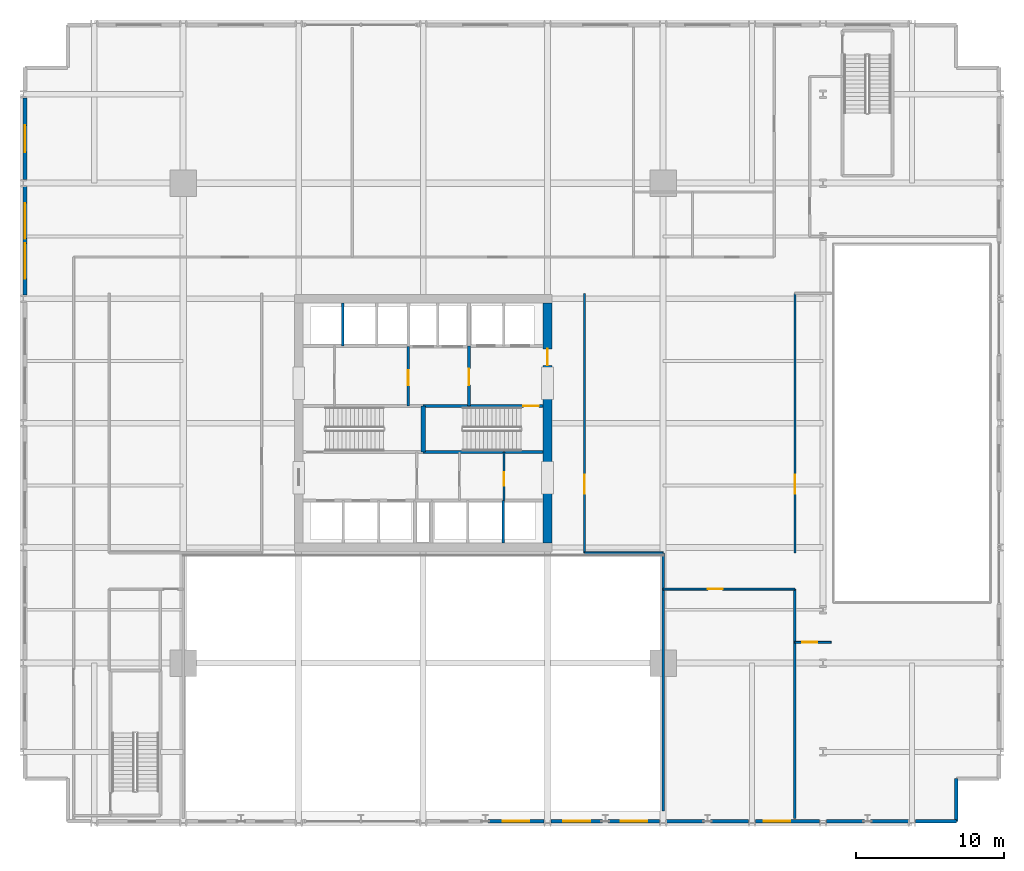
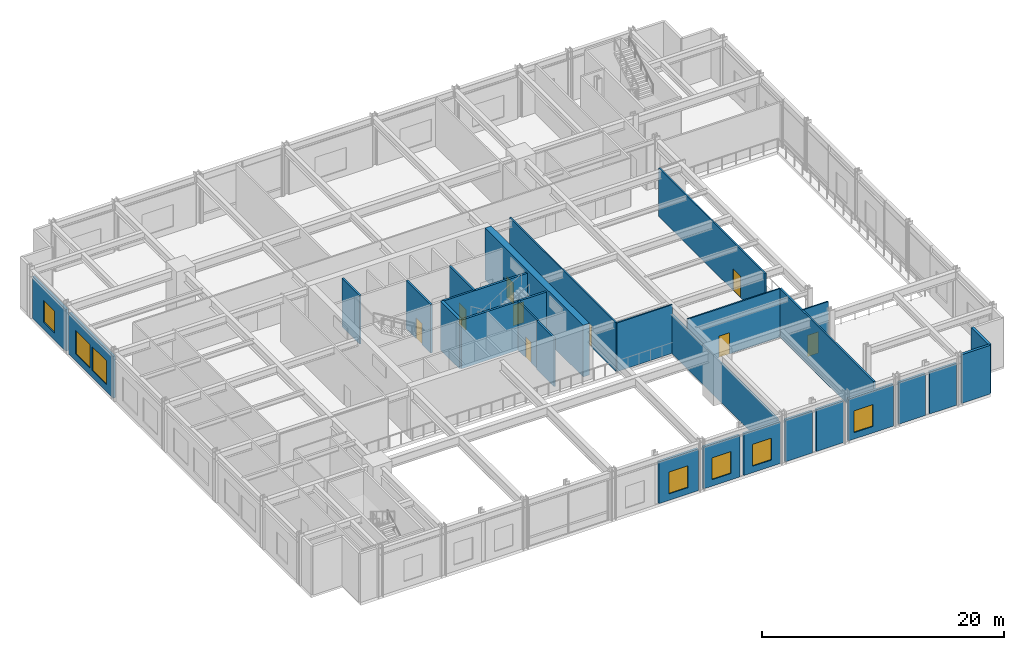
# One storey, part 12 of 19: 28 walls, 9 doors, 7 windows, 16 openings.
"""IFC4 building model written with IfcOpenShell, lengths in metres."""

import ifcopenshell
import ifcopenshell.guid

model = None  # the IFC model being written
_history = None  # IfcOwnerHistory: only IFC2X3 demands one
_inside = {}  # id of a spatial element -> (the spatial element, [elements in it])
_under = {}  # id of a project, library or spatial element -> (it, [spatial elements below it])
_declared = {}  # id of a project -> (the project, [libraries it declares])
_typed = {}  # id of a type object -> (the type object, [elements of that type])
_made_of = {}  # id of a material, layer set ... -> (it, [elements and type objects made of it])


def new_model(schema):
    """Start an empty IFC model of exactly this schema.

    Asked for "IFC4X3", IfcOpenShell would pick the latest addendum, in which some entities
    have other attributes; the version numbers below select the first issue.
    IFC2X3 requires an IfcOwnerHistory on every rooted entity: one is made here for all.
    """
    global model, _history
    if schema == "IFC4X3":
        model = ifcopenshell.file(schema_version=(4, 3, 0, 0))
    else:
        model = ifcopenshell.file(schema=schema)
    _inside.clear()
    _under.clear()
    _declared.clear()
    _typed.clear()
    _made_of.clear()
    _history = None
    if model.schema == "IFC2X3":
        org = make("IfcOrganization", Name="unknown")
        user = make(
            "IfcPersonAndOrganization",
            ThePerson=make("IfcPerson", FamilyName="unknown"),
            TheOrganization=org,
        )
        app = make(
            "IfcApplication",
            ApplicationDeveloper=org,
            Version="unknown",
            ApplicationFullName="unknown",
            ApplicationIdentifier="unknown",
        )
        _history = make(
            "IfcOwnerHistory",
            OwningUser=user,
            OwningApplication=app,
            ChangeAction="ADDED",
            CreationDate=0,
        )
    return model


def make(cls, **values):
    """One entity of the class cls with the attributes given. An attribute that is None is left unset."""
    return model.create_entity(
        cls, **{name: value for name, value in values.items() if value is not None}
    )


def rooted(cls, **values):
    """An entity with a GlobalId (a new one), such as an element, a storey or a relation."""
    return make(cls, GlobalId=ifcopenshell.guid.new(), OwnerHistory=_history, **values)


def si_unit(unit_type, name, prefix=None):
    """IfcSIUnit, for example si_unit("LENGTHUNIT", "METRE", prefix="MILLI")."""
    return make("IfcSIUnit", UnitType=unit_type, Prefix=prefix, Name=name)


def assignment(units):
    """IfcUnitAssignment: the units of a project."""
    return None if units is None else make("IfcUnitAssignment", Units=units)


def point(xyz):
    """IfcCartesianPoint."""
    return None if xyz is None else make("IfcCartesianPoint", Coordinates=xyz)


def direction(xyz):
    """IfcDirection."""
    return None if xyz is None else make("IfcDirection", DirectionRatios=xyz)


def frame(location, z_axis=None, x_axis=None):
    """IfcAxis2Placement3D, a coordinate frame: its origin and axes. An axis left out is left unset."""
    return make(
        "IfcAxis2Placement3D",
        Location=point(location),
        Axis=direction(z_axis),
        RefDirection=direction(x_axis),
    )


def frame_2d(location, x_axis=None):
    """IfcAxis2Placement2D, a coordinate frame in the plane: its origin and x axis."""
    return make(
        "IfcAxis2Placement2D", Location=point(location), RefDirection=direction(x_axis)
    )


def origin():
    """The frame at (0, 0, 0) with its axes left unset."""
    return frame((0.0, 0.0, 0.0))


def place(relative_to, where):
    """IfcLocalPlacement: puts the frame where relative to a parent placement (None: the world)."""
    return make(
        "IfcLocalPlacement", PlacementRelTo=relative_to, RelativePlacement=where
    )


def context(
    kind, dimensions, precision=None, world=None, true_north=None, identifier=None
):
    """IfcGeometricRepresentationContext, for example the 3D "Model" context."""
    return make(
        "IfcGeometricRepresentationContext",
        ContextIdentifier=identifier,
        ContextType=kind,
        CoordinateSpaceDimension=dimensions,
        Precision=precision,
        WorldCoordinateSystem=world,
        TrueNorth=true_north,
    )


def subcontext(parent, identifier, kind, view, scale=None):
    """IfcGeometricRepresentationSubContext, for example "Body" below "Model"."""
    return make(
        "IfcGeometricRepresentationSubContext",
        ContextIdentifier=identifier,
        ContextType=kind,
        ParentContext=parent,
        TargetScale=scale,
        TargetView=view,
    )


def project(units=None, contexts=None):
    """IfcProject with its units and contexts."""
    return rooted(
        "IfcProject",
        Name="project",
        RepresentationContexts=contexts,
        UnitsInContext=assignment(units),
    )


def spatial(cls, under=None, at=None, **own):
    """A site, building, storey or space (cls), placed at a placement, below another one or the project."""
    s = rooted(cls, ObjectPlacement=at, **own)
    if under is not None:
        _under.setdefault(under.id(), (under, []))[1].append(s)
    return s


def profile(cls, at=None, kind="AREA", **sizes):
    """A parametric profile (cls). Its sizes go by their IFC names, for example OverallWidth=200.0."""
    return make(cls, ProfileType=kind, Position=at, **sizes)


def rectangle(**sizes):
    """IfcRectangleProfileDef."""
    return profile("IfcRectangleProfileDef", **sizes)


def extrude(swept, where, along, depth):
    """IfcExtrudedAreaSolid: the profile swept, set in the frame where, extruded along a direction by depth."""
    return make(
        "IfcExtrudedAreaSolid",
        SweptArea=swept,
        Position=where,
        ExtrudedDirection=direction(along),
        Depth=depth,
    )


def shape(context_of_items, identifier, shape_type, items):
    """IfcShapeRepresentation: the items that make up one representation, for example the "Body"."""
    return make(
        "IfcShapeRepresentation",
        ContextOfItems=context_of_items,
        RepresentationIdentifier=identifier,
        RepresentationType=shape_type,
        Items=items,
    )


def material(Name=None, Category=None):
    """IfcMaterial."""
    return make("IfcMaterial", Name=Name, Category=Category)


def layer(
    of_material, thickness, ventilated=None, Name=None, Category=None, Priority=None
):
    """IfcMaterialLayer: one layer of a wall or slab, of a material (None: an air gap)."""
    return make(
        "IfcMaterialLayer",
        Material=of_material,
        LayerThickness=thickness,
        IsVentilated=ventilated,
        Name=Name,
        Category=Category,
        Priority=Priority,
    )


def layer_set(layers, Name=None):
    """IfcMaterialLayerSet."""
    return make("IfcMaterialLayerSet", MaterialLayers=layers, LayerSetName=Name)


def made_of(thing, what):
    """Note that an element or type object is made of a material, layer set ...; save() writes the relation."""
    if what is not None:
        _made_of.setdefault(what.id(), (what, []))[1].append(thing)
    return thing


def type_object(cls, material=None, **own):
    """A type object (cls), such as IfcWallType, which elements share."""
    return made_of(rooted(cls, **own), material)


def element(
    cls,
    number,
    at=None,
    inside=None,
    cuts=None,
    type_object=None,
    material=None,
    context=None,
    identifier="Body",
    shape_type=None,
    held_by="IfcProductDefinitionShape",
    body=None,
    shapes=None,
    **own,
):
    """One element of the class cls, such as IfcWall. Its Tag is "e" and its number.

    at: its placement. inside: the storey or other place that contains it. cuts: it is an
    opening in that element (IfcRelVoidsElement). A single representation is given by context,
    identifier, shape_type and body (its items); several are given by shapes. held_by: the class
    of the entity that holds the representations. save() writes the other relations.
    """
    e = rooted(cls, Tag="e%d" % number, ObjectPlacement=at, **own)
    if body is not None:
        shapes = [shape(context, identifier, shape_type, body)]
    if shapes is not None:
        e.Representation = make(held_by, Representations=shapes)
    if inside is not None:
        _inside.setdefault(inside.id(), (inside, []))[1].append(e)
    if cuts is not None:
        rooted(
            "IfcRelVoidsElement", RelatingBuildingElement=cuts, RelatedOpeningElement=e
        )
    if type_object is not None:
        _typed.setdefault(type_object.id(), (type_object, []))[1].append(e)
    return made_of(e, material)


def fill(opening, filler):
    """IfcRelFillsElement: the door or window that sits in an opening."""
    return rooted(
        "IfcRelFillsElement",
        RelatingOpeningElement=opening,
        RelatedBuildingElement=filler,
    )


def aggregate(whole, parts):
    """IfcRelAggregates: a whole, such as a stair, and the parts it consists of."""
    return rooted("IfcRelAggregates", RelatingObject=whole, RelatedObjects=parts)


def save(model, path):
    """Write the relations noted so far, then the file.

    IfcRelAggregates (storeys below a building ...), IfcRelContainedInSpatialStructure (elements
    in a storey), IfcRelDefinesByType, IfcRelAssociatesMaterial and IfcRelDeclares: one each for
    every whole, place, type object, material and project.
    """
    for whole, parts in _under.values():
        aggregate(whole, parts)
    for where, things in _inside.values():
        rooted(
            "IfcRelContainedInSpatialStructure",
            RelatedElements=things,
            RelatingStructure=where,
        )
    for kind, things in _typed.values():
        rooted("IfcRelDefinesByType", RelatedObjects=things, RelatingType=kind)
    for what, things in _made_of.values():
        rooted("IfcRelAssociatesMaterial", RelatedObjects=things, RelatingMaterial=what)
    for by, libraries in _declared.values():
        rooted("IfcRelDeclares", RelatingContext=by, RelatedDefinitions=libraries)
    model.write(path)


model = new_model("IFC4")

# Units and contexts
model_context = context("Model", 3, precision=1e-05, world=origin(), true_north=direction((0.0, 1.0)))
body_context = subcontext(model_context, "Body", "Model", "MODEL_VIEW")
ifc_project = project(units=[si_unit("LENGTHUNIT", "METRE"), si_unit("AREAUNIT", "SQUARE_METRE"), si_unit("VOLUMEUNIT", "CUBIC_METRE"), si_unit("PLANEANGLEUNIT", "RADIAN"), si_unit("MASSUNIT", "GRAM", prefix="KILO")], contexts=[model_context])

# Site, building, storey
site_placement = place(None, origin())
site = spatial("IfcSite", under=ifc_project, at=site_placement, CompositionType="ELEMENT")
building_placement = place(site_placement, origin())
building = spatial("IfcBuilding", under=site, at=building_placement, Name="Drelvath Grand Hotel", CompositionType="ELEMENT")
storey_placement = place(building_placement, frame((0.0, 0.0, 17.199951171875)))
storey = spatial("IfcBuildingStorey", under=building, at=storey_placement, Name="L03", CompositionType="ELEMENT", Elevation=17.199951171875)

# Wall
ifc_material_1 = material(Name="Concrete C40/50", Category="concrete")
ifc_layer_1 = layer(ifc_material_1, 0.199951171875)
ifc_layer_set_1 = layer_set([ifc_layer_1], Name="Concrete C40/50")
wall_type_1 = type_object("IfcWallType", Name="Core Shaft Fire Wall 200", PredefinedType="SOLIDWALL", material=ifc_layer_set_1)
wall_1_placement = place(storey_placement, frame((0.0, 25.0400390625, 0.0), z_axis=(0.0, 0.0, 1.0), x_axis=(1.0, 0.0, 0.0)))
element("IfcWall", 1, at=wall_1_placement, inside=storey, type_object=wall_type_1, Name="L03 Stair ST-2 South Wall", PredefinedType="SOLIDWALL", context=body_context, shape_type="SweptSolid", body=[
    extrude(rectangle(XDim=8.10009765625, YDim=0.199951171875, at=frame_2d((4.050048828125, 0.0))), origin(), (0.0, 0.0, 1.0), 4.900146484375),
])

# Wall, opening, door
wall_2_placement = place(storey_placement, frame((8.10009765625, 28.159912109375, 0.0), z_axis=(0.0, 0.0, 1.0), x_axis=(-1.0, 0.0, 0.0)))
wall_2 = element("IfcWall", 2, at=wall_2_placement, inside=storey, type_object=wall_type_1, Name="L03 Stair ST-2 North Wall", PredefinedType="SOLIDWALL", context=body_context, shape_type="SweptSolid", body=[
    extrude(rectangle(XDim=8.10009765625, YDim=0.199951171875, at=frame_2d((4.050048828125, 0.0))), origin(), (0.0, 0.0, 1.0), 4.900146484375),
])
opening_1_placement = place(wall_2_placement, frame((0.280029296875, 0.0, 0.0)))
opening_1 = element("IfcOpeningElement", 3, at=opening_1_placement, cuts=wall_2, Name="Opening D-L03-002", PredefinedType="OPENING", context=body_context, shape_type="SweptSolid", body=[
    extrude(rectangle(XDim=1.050048828125, YDim=2.10009765625, at=frame_2d((0.52490234375, 1.050048828125))), frame((0.0, 0.10986328125, 0.0), z_axis=(0.0, -1.0, 0.0), x_axis=(1.0, 0.0, 0.0)), (0.0, 0.0, 1.0), 0.219970703125),
])
ifc_material_2 = material(Name="Painted Steel S275", Category="steel")
door_type_1 = type_object("IfcDoorType", Name="Tower Stairwell Fire Door 1050x2100", OperationType="NOTDEFINED", PredefinedType="DOOR", material=ifc_material_2)
door_1_placement = place(opening_1_placement, origin())
door_1 = element("IfcDoor", 4, at=door_1_placement, inside=storey, type_object=door_type_1, Name="L03 Exit Stair ST-2 Door", OperationType="SINGLE_SWING_LEFT", OverallHeight=2.10009765625, OverallWidth=1.050048828125, PredefinedType="DOOR", context=body_context, shape_type="SweptSolid", body=[
    extrude(rectangle(XDim=1.050048828125, YDim=2.10009765625, at=frame_2d((0.52490234375, 1.050048828125))), frame((0.0, 0.02490234375, 0.0), z_axis=(0.0, -1.0, 0.0), x_axis=(1.0, 0.0, 0.0)), (0.0, 0.0, 1.0), 0.050048828125),
])
fill(opening_1, door_1)

# Walls
ifc_layer_2 = layer(ifc_material_1, 0.300048828125)
ifc_layer_set_2 = layer_set([ifc_layer_2], Name="Concrete C40/50")
wall_type_2 = type_object("IfcWallType", Name="Core Shaft Fire Wall 300", PredefinedType="SOLIDWALL", material=ifc_layer_set_2)
wall_3_placement = place(storey_placement, frame((0.0, 25.0400390625, 0.0), z_axis=(0.0, 0.0, 1.0), x_axis=(0.0, 1.0, 0.0)))
element("IfcWall", 5, at=wall_3_placement, inside=storey, type_object=wall_type_2, Name="L03 Core Stair Divider Wall", PredefinedType="SOLIDWALL", context=body_context, shape_type="SweptSolid", body=[
    extrude(rectangle(XDim=3.119873046875, YDim=0.300048828125, at=frame_2d((1.56005859375, 0.0))), origin(), (0.0, 0.0, 1.0), 4.900146484375),
])
ifc_material_3 = material(Name="Gypsum Fireboard Partition")
ifc_layer_3 = layer(ifc_material_3, 0.1650390625)
ifc_layer_set_3 = layer_set([ifc_layer_3], Name="Gypsum Fireboard Partition")
wall_type_3 = type_object("IfcWallType", Name="Core Shaft Partition 165", PredefinedType="PARTITIONING", material=ifc_layer_set_3)
for number, where, z_axis, x_axis, name in (
    (6, (-5.43994140625, 32.219970703125, 0.0), (0.0, 0.0, 1.0), (0.0, 1.0, 0.0), "L03 Lift PE-7/8 Divider"),
    (7, (5.39990234375, 18.89990234375, 0.0), (0.0, 0.0, 1.0), (0.0, 1.0, 0.0), "L03 Lift PE-5/6 Divider"),
):
    element("IfcWall", number, at=place(storey_placement, frame(where, z_axis=z_axis, x_axis=x_axis)), inside=storey, type_object=wall_type_3, Name=name, PredefinedType="PARTITIONING", context=body_context, shape_type="SweptSolid", body=[
        extrude(rectangle(XDim=2.880126953125, YDim=0.1650390625, at=frame_2d((1.43994140625, 0.0))), origin(), (0.0, 0.0, 1.0), 4.900146484375),
    ])

# Wall, opening, door
ifc_layer_4 = layer(ifc_material_3, 0.135009765625)
ifc_layer_set_4 = layer_set([ifc_layer_4], Name="Gypsum Fireboard Partition")
wall_type_4 = type_object("IfcWallType", Name="Corridor Fire Barrier Wall 135", PredefinedType="PARTITIONING", material=ifc_layer_set_4)
wall_4_placement = place(storey_placement, frame((16.199951171875, 15.800048828125, 0.0), z_axis=(0.0, 0.0, 1.0), x_axis=(1.0, 0.0, 0.0)))
wall_4 = element("IfcWall", 8, at=wall_4_placement, inside=storey, type_object=wall_type_4, Name="L03 South Gallery Wall", PredefinedType="PARTITIONING", context=body_context, shape_type="SweptSolid", body=[
    extrude(rectangle(XDim=8.900146484375, YDim=0.135009765625, at=frame_2d((4.4501953125, 0.0))), origin(), (0.0, 0.0, 1.0), 4.900146484375),
])
opening_2_placement = place(wall_4_placement, frame((3.0, 0.0, 0.0)))
opening_2 = element("IfcOpeningElement", 9, at=opening_2_placement, cuts=wall_4, Name="Opening D-L03-026", PredefinedType="OPENING", context=body_context, shape_type="SweptSolid", body=[
    extrude(rectangle(XDim=1.02001953125, YDim=2.14990234375, at=frame_2d((0.510009765625, 1.074951171875))), frame((0.0, 0.077392578125, 0.0), z_axis=(0.0, -1.0, 0.0), x_axis=(1.0, 0.0, 0.0)), (0.0, 0.0, 1.0), 0.155029296875),
])
ifc_material_4 = material(Name="Hardwood Walnut Timber", Category="wood")
door_type_2 = type_object("IfcDoorType", Name="Amenity Meeting Fire Door 1020x2150", OperationType="NOTDEFINED", PredefinedType="DOOR", material=ifc_material_4)
door_2_placement = place(opening_2_placement, origin())
door_2 = element("IfcDoor", 10, at=door_2_placement, inside=storey, type_object=door_type_2, Name="L03 AV Control Room Door", OperationType="SINGLE_SWING_LEFT", OverallHeight=2.14990234375, OverallWidth=1.02001953125, PredefinedType="DOOR", context=body_context, shape_type="SweptSolid", body=[
    extrude(rectangle(XDim=1.02001953125, YDim=2.14990234375, at=frame_2d((0.510009765625, 1.074951171875))), frame((0.0, 0.02490234375, 0.0), z_axis=(0.0, -1.0, 0.0), x_axis=(1.0, 0.0, 0.0)), (0.0, 0.0, 1.0), 0.050048828125),
])
fill(opening_2, door_2)

# Wall
wall_5_placement = place(storey_placement, frame((10.89990234375, 18.239990234375, 0.0), z_axis=(0.0, 0.0, 1.0), x_axis=(1.0, 0.0, 0.0)))
element("IfcWall", 11, at=wall_5_placement, inside=storey, type_object=wall_type_4, Name="L03 South-East Gallery North Wall", PredefinedType="PARTITIONING", context=body_context, shape_type="SweptSolid", body=[
    extrude(rectangle(XDim=5.300048828125, YDim=0.135009765625, at=frame_2d((2.64990234375, 0.0))), origin(), (0.0, 0.0, 1.0), 4.900146484375),
])

# Wall, opening, door
wall_6_placement = place(storey_placement, frame((10.89990234375, 18.239990234375, 0.0), z_axis=(0.0, 0.0, 1.0), x_axis=(0.0, 1.0, 0.0)))
wall_6 = element("IfcWall", 12, at=wall_6_placement, inside=storey, type_object=wall_type_4, Name="L03 East Inner Gallery Wall", PredefinedType="PARTITIONING", context=body_context, shape_type="SweptSolid", body=[
    extrude(rectangle(XDim=17.52001953125, YDim=0.135009765625, at=frame_2d((8.760009765625, 0.0))), origin(), (0.0, 0.0, 1.0), 4.900146484375),
])
opening_3_placement = place(wall_6_placement, frame((4.0, 0.0, 0.0)))
opening_3 = element("IfcOpeningElement", 13, at=opening_3_placement, cuts=wall_6, Name="Opening D-L03-031", PredefinedType="OPENING", context=body_context, shape_type="SweptSolid", body=[
    extrude(rectangle(XDim=1.260009765625, YDim=2.199951171875, at=frame_2d((0.6298828125, 1.10009765625))), frame((0.0, 0.077392578125, 0.0), z_axis=(0.0, -1.0, 0.0), x_axis=(1.0, 0.0, 0.0)), (0.0, 0.0, 1.0), 0.155029296875),
])
door_type_3 = type_object("IfcDoorType", Name="Suite Entrance Fire Door 1260x2200", OperationType="NOTDEFINED", PredefinedType="DOOR", material=ifc_material_4)
door_3_placement = place(opening_3_placement, origin())
door_3 = element("IfcDoor", 14, at=door_3_placement, inside=storey, type_object=door_type_3, Name="L03 Center-East Room West Door", OperationType="SINGLE_SWING_LEFT", OverallHeight=2.199951171875, OverallWidth=1.260009765625, PredefinedType="DOOR", context=body_context, shape_type="SweptSolid", body=[
    extrude(rectangle(XDim=1.260009765625, YDim=2.199951171875, at=frame_2d((0.6298828125, 1.10009765625))), frame((0.0, 0.02490234375, 0.0), z_axis=(0.0, -1.0, 0.0), x_axis=(1.0, 0.0, 0.0)), (0.0, 0.0, 1.0), 0.050048828125),
])
fill(opening_3, door_3)

wall_7_placement = place(storey_placement, frame((25.10009765625, 18.239990234375, 0.0), z_axis=(0.0, 0.0, 1.0), x_axis=(0.0, 1.0, 0.0)))
wall_7 = element("IfcWall", 15, at=wall_7_placement, inside=storey, type_object=wall_type_4, Name="L03 Atrium Promenade Inner Wall", PredefinedType="PARTITIONING", context=body_context, shape_type="SweptSolid", body=[
    extrude(rectangle(XDim=17.52001953125, YDim=0.135009765625, at=frame_2d((8.760009765625, 0.0))), origin(), (0.0, 0.0, 1.0), 4.900146484375),
])
opening_4_placement = place(wall_7_placement, frame((4.0, 0.0, 0.0)))
opening_4 = element("IfcOpeningElement", 16, at=opening_4_placement, cuts=wall_7, Name="Opening D-L03-032", PredefinedType="OPENING", context=body_context, shape_type="SweptSolid", body=[
    extrude(rectangle(XDim=1.260009765625, YDim=2.199951171875, at=frame_2d((0.6298828125, 1.10009765625))), frame((0.0, 0.077392578125, 0.0), z_axis=(0.0, -1.0, 0.0), x_axis=(1.0, 0.0, 0.0)), (0.0, 0.0, 1.0), 0.155029296875),
])
door_4_placement = place(opening_4_placement, origin())
door_4 = element("IfcDoor", 17, at=door_4_placement, inside=storey, type_object=door_type_3, Name="L03 Center-East Room Atrium Door", OperationType="SINGLE_SWING_RIGHT", OverallHeight=2.199951171875, OverallWidth=1.260009765625, PredefinedType="DOOR", context=body_context, shape_type="SweptSolid", body=[
    extrude(rectangle(XDim=1.260009765625, YDim=2.199951171875, at=frame_2d((0.6298828125, 1.10009765625))), frame((0.0, 0.02490234375, 0.0), z_axis=(0.0, -1.0, 0.0), x_axis=(1.0, 0.0, 0.0)), (0.0, 0.0, 1.0), 0.050048828125),
])
fill(opening_4, door_4)

wall_8_placement = place(storey_placement, frame((25.10009765625, 12.199951171875, 0.0), z_axis=(0.0, 0.0, 1.0), x_axis=(1.0, 0.0, 0.0)))
wall_8 = element("IfcWall", 18, at=wall_8_placement, inside=storey, type_object=wall_type_4, Name="L03 SE Atrium Corner Return", PredefinedType="PARTITIONING", context=body_context, shape_type="SweptSolid", body=[
    extrude(rectangle(XDim=2.449951171875, YDim=0.135009765625, at=frame_2d((1.22509765625, 0.0))), origin(), (0.0, 0.0, 1.0), 4.900146484375),
])
opening_5_placement = place(wall_8_placement, frame((0.5, 0.0, 0.0)))
opening_5 = element("IfcOpeningElement", 19, at=opening_5_placement, cuts=wall_8, Name="Opening D-L03-023", PredefinedType="OPENING", context=body_context, shape_type="SweptSolid", body=[
    extrude(rectangle(XDim=1.02001953125, YDim=2.14990234375, at=frame_2d((0.510009765625, 1.074951171875))), frame((0.0, 0.077392578125, 0.0), z_axis=(0.0, -1.0, 0.0), x_axis=(1.0, 0.0, 0.0)), (0.0, 0.0, 1.0), 0.155029296875),
])
door_5_placement = place(opening_5_placement, origin())
door_5 = element("IfcDoor", 20, at=door_5_placement, inside=storey, type_object=door_type_2, Name="L03 SE VIP Salon Door", OperationType="SINGLE_SWING_RIGHT", OverallHeight=2.14990234375, OverallWidth=1.02001953125, PredefinedType="DOOR", context=body_context, shape_type="SweptSolid", body=[
    extrude(rectangle(XDim=1.02001953125, YDim=2.14990234375, at=frame_2d((0.510009765625, 1.074951171875))), frame((0.0, 0.02490234375, 0.0), z_axis=(0.0, -1.0, 0.0), x_axis=(1.0, 0.0, 0.0)), (0.0, 0.0, 1.0), 0.050048828125),
])
fill(opening_5, door_5)

ifc_material_5 = material(Name="Moisture-Resistant Gypsum Board")
ifc_layer_5 = layer(ifc_material_5, 0.139892578125)
ifc_layer_set_5 = layer_set([ifc_layer_5], Name="Moisture-Resistant Gypsum Board")
wall_type_5 = type_object("IfcWallType", Name="En-Suite Plumbing Wall 140", PredefinedType="PLUMBINGWALL", material=ifc_layer_set_5)
wall_9_placement = place(storey_placement, frame((5.4599609375, 21.780029296875, 0.0), z_axis=(0.0, 0.0, 1.0), x_axis=(0.0, 1.0, 0.0)))
wall_9 = element("IfcWall", 21, at=wall_9_placement, inside=storey, type_object=wall_type_5, Name="L03 Staff WC East Wall", PredefinedType="PLUMBINGWALL", context=body_context, shape_type="SweptSolid", body=[
    extrude(rectangle(XDim=3.260009765625, YDim=0.139892578125, at=frame_2d((1.6298828125, 0.0))), origin(), (0.0, 0.0, 1.0), 4.900146484375),
])
opening_6_placement = place(wall_9_placement, frame((1.0, 0.0, 0.0)))
opening_6 = element("IfcOpeningElement", 22, at=opening_6_placement, cuts=wall_9, Name="Opening D-L03-017", PredefinedType="OPENING", context=body_context, shape_type="SweptSolid", body=[
    extrude(rectangle(XDim=0.919921875, YDim=2.10009765625, at=frame_2d((0.4599609375, 1.050048828125))), frame((0.0, 0.079833984375, 0.0), z_axis=(0.0, -1.0, 0.0), x_axis=(1.0, 0.0, 0.0)), (0.0, 0.0, 1.0), 0.159912109375),
])
door_type_4 = type_object("IfcDoorType", Name="Staff Utility Door 920x2100", OperationType="NOTDEFINED", PredefinedType="DOOR", material=ifc_material_2)
door_6_placement = place(opening_6_placement, origin())
door_6 = element("IfcDoor", 23, at=door_6_placement, inside=storey, type_object=door_type_4, Name="L03 Janitor Supply Door", OperationType="SINGLE_SWING_RIGHT", OverallHeight=2.10009765625, OverallWidth=0.919921875, PredefinedType="DOOR", context=body_context, shape_type="SweptSolid", body=[
    extrude(rectangle(XDim=0.919921875, YDim=2.10009765625, at=frame_2d((0.4599609375, 1.050048828125))), frame((0.0, 0.02490234375, 0.0), z_axis=(0.0, -1.0, 0.0), x_axis=(1.0, 0.0, 0.0)), (0.0, 0.0, 1.0), 0.050048828125),
])
fill(opening_6, door_6)

ifc_layer_6 = layer(ifc_material_3, 0.179931640625)
ifc_layer_set_6 = layer_set([ifc_layer_6], Name="Gypsum Fireboard Partition")
wall_type_6 = type_object("IfcWallType", Name="FSAE Smoke Lobby Fire Wall 180", PredefinedType="SOLIDWALL", material=ifc_layer_set_6)
wall_10_placement = place(storey_placement, frame((3.10009765625, 28.159912109375, 0.0), z_axis=(0.0, 0.0, 1.0), x_axis=(0.0, 1.0, 0.0)))
wall_10 = element("IfcWall", 24, at=wall_10_placement, inside=storey, type_object=wall_type_6, Name="L03 FSAE Smoke Lobby West Wall", PredefinedType="SOLIDWALL", context=body_context, shape_type="SweptSolid", body=[
    extrude(rectangle(XDim=4.06005859375, YDim=0.179931640625, at=frame_2d((2.030029296875, 0.0))), origin(), (0.0, 0.0, 1.0), 4.900146484375),
])
opening_7_placement = place(wall_10_placement, frame((1.39990234375, 0.0, 0.0)))
opening_7 = element("IfcOpeningElement", 25, at=opening_7_placement, cuts=wall_10, Name="Opening D-L03-005", PredefinedType="OPENING", context=body_context, shape_type="SweptSolid", body=[
    extrude(rectangle(XDim=1.1201171875, YDim=2.10009765625, at=frame_2d((0.56005859375, 1.050048828125))), frame((0.0, 0.099853515625, 0.0), z_axis=(0.0, -1.0, 0.0), x_axis=(1.0, 0.0, 0.0)), (0.0, 0.0, 1.0), 0.199951171875),
])
door_type_5 = type_object("IfcDoorType", Name="FSAE Smoke Lobby Fire Door 1120x2100", OperationType="NOTDEFINED", PredefinedType="DOOR", material=ifc_material_2)
door_7_placement = place(opening_7_placement, origin())
door_7 = element("IfcDoor", 26, at=door_7_placement, inside=storey, type_object=door_type_5, Name="L03 FSAE Lobby Service Vestibule Door", OperationType="SINGLE_SWING_RIGHT", OverallHeight=2.10009765625, OverallWidth=1.1201171875, PredefinedType="DOOR", context=body_context, shape_type="SweptSolid", body=[
    extrude(rectangle(XDim=1.1201171875, YDim=2.10009765625, at=frame_2d((0.56005859375, 1.050048828125))), frame((0.0, 0.02490234375, 0.0), z_axis=(0.0, -1.0, 0.0), x_axis=(1.0, 0.0, 0.0)), (0.0, 0.0, 1.0), 0.050048828125),
])
fill(opening_7, door_7)

wall_11_placement = place(storey_placement, frame((-1.0, 28.159912109375, 0.0), z_axis=(0.0, 0.0, 1.0), x_axis=(0.0, 1.0, 0.0)))
wall_11 = element("IfcWall", 27, at=wall_11_placement, inside=storey, type_object=wall_type_6, Name="L03 Service Vestibule West Wall", PredefinedType="SOLIDWALL", context=body_context, shape_type="SweptSolid", body=[
    extrude(rectangle(XDim=4.02001953125, YDim=0.179931640625, at=frame_2d((2.010009765625, 0.0))), origin(), (0.0, 0.0, 1.0), 4.900146484375),
])
opening_8_placement = place(wall_11_placement, frame((1.39990234375, 0.0, 0.0)))
opening_8 = element("IfcOpeningElement", 28, at=opening_8_placement, cuts=wall_11, Name="Opening D-L03-009", PredefinedType="OPENING", context=body_context, shape_type="SweptSolid", body=[
    extrude(rectangle(XDim=1.0, YDim=2.10009765625, at=frame_2d((0.5, 1.050048828125))), frame((0.0, 0.099853515625, 0.0), z_axis=(0.0, -1.0, 0.0), x_axis=(1.0, 0.0, 0.0)), (0.0, 0.0, 1.0), 0.199951171875),
])
door_type_6 = type_object("IfcDoorType", Name="Core Service Fire Door 1000x2100", OperationType="NOTDEFINED", PredefinedType="DOOR", material=ifc_material_2)
door_8_placement = place(opening_8_placement, origin())
door_8 = element("IfcDoor", 29, at=door_8_placement, inside=storey, type_object=door_type_6, Name="L03 Service Vestibule West Door", OperationType="SINGLE_SWING_LEFT", OverallHeight=2.10009765625, OverallWidth=1.0, PredefinedType="DOOR", context=body_context, shape_type="SweptSolid", body=[
    extrude(rectangle(XDim=1.0, YDim=2.10009765625, at=frame_2d((0.5, 1.050048828125))), frame((0.0, 0.02490234375, 0.0), z_axis=(0.0, -1.0, 0.0), x_axis=(1.0, 0.0, 0.0)), (0.0, 0.0, 1.0), 0.050048828125),
])
fill(opening_8, door_8)

ifc_material_6 = material(Name="Concrete f'c 70 MPa", Category="concrete")
ifc_layer_7 = layer(ifc_material_6, 0.60009765625)
ifc_layer_set_7 = layer_set([ifc_layer_7], Name="Concrete f'c 70 MPa")
wall_type_7 = type_object("IfcWallType", Name="Lower Core RC Shear Wall 600", PredefinedType="SHEAR", material=ifc_layer_set_7)
wall_12_placement = place(storey_placement, frame((8.39990234375, 35.10009765625, 0.0), z_axis=(0.0, 0.0, 1.0), x_axis=(0.0, -1.0, 0.0)))
wall_12 = element("IfcWall", 30, at=wall_12_placement, inside=storey, type_object=wall_type_7, Name="L03 Central Core Shear Wall E", PredefinedType="SHEAR", context=body_context, shape_type="SweptSolid", body=[
    extrude(rectangle(XDim=16.2001953125, YDim=0.60009765625, at=frame_2d((8.10009765625, 0.0))), origin(), (0.0, 0.0, 1.0), 5.199951171875),
])
opening_9_placement = place(wall_12_placement, frame((3.080078125, 0.0, 0.0)))
opening_9 = element("IfcOpeningElement", 31, at=opening_9_placement, cuts=wall_12, Name="Opening D-L03-006", PredefinedType="OPENING", context=body_context, shape_type="SweptSolid", body=[
    extrude(rectangle(XDim=1.1201171875, YDim=2.10009765625, at=frame_2d((0.56005859375, 1.050048828125))), frame((0.0, 0.31005859375, 0.0), z_axis=(0.0, -1.0, 0.0), x_axis=(1.0, 0.0, 0.0)), (0.0, 0.0, 1.0), 0.6201171875),
])
door_9_placement = place(opening_9_placement, origin())
door_9 = element("IfcDoor", 32, at=door_9_placement, inside=storey, type_object=door_type_5, Name="L03 FSAE Lobby East Corridor Door", OperationType="SINGLE_SWING_LEFT", OverallHeight=2.10009765625, OverallWidth=1.1201171875, PredefinedType="DOOR", context=body_context, shape_type="SweptSolid", body=[
    extrude(rectangle(XDim=1.1201171875, YDim=2.10009765625, at=frame_2d((0.56005859375, 1.050048828125))), frame((0.0, 0.02490234375, 0.0), z_axis=(0.0, -1.0, 0.0), x_axis=(1.0, 0.0, 0.0)), (0.0, 0.0, 1.0), 0.050048828125),
])
fill(opening_9, door_9)

# Wall, openings, windows
ifc_material_7 = material(Name="Insulated Granite Rainscreen Assembly", Category="masonry")
ifc_layer_8 = layer(ifc_material_7, 0.239990234375)
ifc_layer_set_8 = layer_set([ifc_layer_8], Name="Insulated Granite Rainscreen Assembly")
wall_type_8 = type_object("IfcWallType", Name="Podium Granite Rainscreen Exterior Wall 240", PredefinedType="STANDARD", material=ifc_layer_set_8)
wall_13_placement = place(storey_placement, frame((-26.8798828125, 35.640869140625, 0.0), z_axis=(0.0, 0.0, 1.0), x_axis=(0.0, 1.0, 0.0)))
wall_13 = element("IfcWall", 33, at=wall_13_placement, inside=storey, type_object=wall_type_8, Name="L03 West Podium Granite Wall 6", PredefinedType="STANDARD", context=body_context, shape_type="SweptSolid", body=[
    extrude(rectangle(XDim=7.318115234375, YDim=0.239990234375, at=frame_2d((3.6591796875, 0.0))), origin(), (0.0, 0.0, 1.0), 4.20458984375),
])
opening_10_placement = place(wall_13_placement, frame((1.10009765625, 0.0, 0.699951171875)))
opening_10 = element("IfcOpeningElement", 34, at=opening_10_placement, cuts=wall_13, Name="Opening W-01", PredefinedType="OPENING", context=body_context, shape_type="SweptSolid", body=[
    extrude(rectangle(XDim=2.39990234375, YDim=2.39990234375, at=frame_2d((1.199951171875, 1.199951171875))), frame((0.0, 0.1298828125, 0.0), z_axis=(0.0, -1.0, 0.0), x_axis=(1.0, 0.0, 0.0)), (0.0, 0.0, 1.0), 0.260009765625),
])
opening_11_placement = place(wall_13_placement, frame((3.818115234375, 0.0, 0.699951171875)))
opening_11 = element("IfcOpeningElement", 35, at=opening_11_placement, cuts=wall_13, Name="Opening W-01", PredefinedType="OPENING", context=body_context, shape_type="SweptSolid", body=[
    extrude(rectangle(XDim=2.39990234375, YDim=2.39990234375, at=frame_2d((1.199951171875, 1.199951171875))), frame((0.0, 0.1298828125, 0.0), z_axis=(0.0, -1.0, 0.0), x_axis=(1.0, 0.0, 0.0)), (0.0, 0.0, 1.0), 0.260009765625),
])
ifc_material_8 = material(Name="Bronze Anodised Low-E Triple Glazing", Category="glass")
window_type_1 = type_object("IfcWindowType", Name="Chicago Triple-Pane Podium Window 2400x2600", PartitioningType="TRIPLE_PANEL_VERTICAL", PredefinedType="WINDOW", material=ifc_material_8)
window_1_placement = place(opening_10_placement, origin())
window_1 = element("IfcWindow", 36, at=window_1_placement, inside=storey, type_object=window_type_1, Name="L03 West Podium Window 6-1", OverallHeight=2.39990234375, OverallWidth=2.39990234375, PartitioningType="SINGLE_PANEL", PredefinedType="WINDOW", context=body_context, shape_type="SweptSolid", body=[
    extrude(rectangle(XDim=2.39990234375, YDim=2.39990234375, at=frame_2d((1.199951171875, 1.199951171875))), frame((0.0, 0.030029296875, 0.0), z_axis=(0.0, -1.0, 0.0), x_axis=(1.0, 0.0, 0.0)), (0.0, 0.0, 1.0), 0.06005859375),
])
fill(opening_10, window_1)
window_2_placement = place(opening_11_placement, origin())
window_2 = element("IfcWindow", 37, at=window_2_placement, inside=storey, type_object=window_type_1, Name="L03 West Podium Window 6-2", OverallHeight=2.39990234375, OverallWidth=2.39990234375, PartitioningType="SINGLE_PANEL", PredefinedType="WINDOW", context=body_context, shape_type="SweptSolid", body=[
    extrude(rectangle(XDim=2.39990234375, YDim=2.39990234375, at=frame_2d((1.199951171875, 1.199951171875))), frame((0.0, 0.030029296875, 0.0), z_axis=(0.0, -1.0, 0.0), x_axis=(1.0, 0.0, 0.0)), (0.0, 0.0, 1.0), 0.06005859375),
])
fill(opening_11, window_2)

# Wall, opening, window
wall_14_placement = place(storey_placement, frame((-26.8798828125, 43.44091796875, 0.0), z_axis=(0.0, 0.0, 1.0), x_axis=(0.0, 1.0, 0.0)))
wall_14 = element("IfcWall", 38, at=wall_14_placement, inside=storey, type_object=wall_type_8, Name="L03 West Podium Granite Wall 7", PredefinedType="STANDARD", context=body_context, shape_type="SweptSolid", body=[
    extrude(rectangle(XDim=5.51806640625, YDim=0.239990234375, at=frame_2d((2.759033203125, 0.0))), origin(), (0.0, 0.0, 1.0), 4.20458984375),
])
opening_12_placement = place(wall_14_placement, frame((1.859130859375, 0.0, 0.699951171875)))
opening_12 = element("IfcOpeningElement", 39, at=opening_12_placement, cuts=wall_14, Name="Opening W-02", PredefinedType="OPENING", context=body_context, shape_type="SweptSolid", body=[
    extrude(rectangle(XDim=1.800048828125, YDim=2.199951171875, at=frame_2d((0.89990234375, 1.10009765625))), frame((0.0, 0.1298828125, 0.0), z_axis=(0.0, -1.0, 0.0), x_axis=(1.0, 0.0, 0.0)), (0.0, 0.0, 1.0), 0.260009765625),
])
window_type_2 = type_object("IfcWindowType", Name="Chicago Double-Pane Podium Window 1800x2400", PartitioningType="DOUBLE_PANEL_VERTICAL", PredefinedType="WINDOW", material=ifc_material_8)
window_3_placement = place(opening_12_placement, origin())
window_3 = element("IfcWindow", 40, at=window_3_placement, inside=storey, type_object=window_type_2, Name="L03 West Podium Window 7", OverallHeight=2.199951171875, OverallWidth=1.800048828125, PartitioningType="SINGLE_PANEL", PredefinedType="WINDOW", context=body_context, shape_type="SweptSolid", body=[
    extrude(rectangle(XDim=1.800048828125, YDim=2.199951171875, at=frame_2d((0.89990234375, 1.10009765625))), frame((0.0, 0.030029296875, 0.0), z_axis=(0.0, -1.0, 0.0), x_axis=(1.0, 0.0, 0.0)), (0.0, 0.0, 1.0), 0.06005859375),
])
fill(opening_12, window_3)

wall_15_placement = place(storey_placement, frame((8.1591796875, 0.1201171875, 0.0), z_axis=(0.0, 0.0, 1.0), x_axis=(-1.0, 0.0, 0.0)))
wall_15 = element("IfcWall", 41, at=wall_15_placement, inside=storey, type_object=wall_type_8, Name="L03 South Podium Granite Wall 8", PredefinedType="STANDARD", context=body_context, shape_type="SweptSolid", body=[
    extrude(rectangle(XDim=3.7666015625, YDim=0.239990234375, at=frame_2d((1.88330078125, 0.0))), origin(), (0.0, 0.0, 1.0), 4.20458984375),
])
opening_13_placement = place(wall_15_placement, frame((0.983154296875, 0.0, 0.64990234375)))
opening_13 = element("IfcOpeningElement", 42, at=opening_13_placement, cuts=wall_15, Name="Opening W-02", PredefinedType="OPENING", context=body_context, shape_type="SweptSolid", body=[
    extrude(rectangle(XDim=1.800048828125, YDim=2.199951171875, at=frame_2d((0.89990234375, 1.10009765625))), frame((0.0, 0.1298828125, 0.0), z_axis=(0.0, -1.0, 0.0), x_axis=(1.0, 0.0, 0.0)), (0.0, 0.0, 1.0), 0.260009765625),
])
window_4_placement = place(opening_13_placement, origin())
window_4 = element("IfcWindow", 43, at=window_4_placement, inside=storey, type_object=window_type_2, Name="L03 South Chicago Window 8", OverallHeight=2.199951171875, OverallWidth=1.800048828125, PartitioningType="SINGLE_PANEL", PredefinedType="WINDOW", context=body_context, shape_type="SweptSolid", body=[
    extrude(rectangle(XDim=1.800048828125, YDim=2.199951171875, at=frame_2d((0.89990234375, 1.10009765625))), frame((0.0, 0.030029296875, 0.0), z_axis=(0.0, -1.0, 0.0), x_axis=(1.0, 0.0, 0.0)), (0.0, 0.0, 1.0), 0.06005859375),
])
fill(opening_13, window_4)

wall_16_placement = place(storey_placement, frame((12.107421875, 0.1201171875, 0.0), z_axis=(0.0, 0.0, 1.0), x_axis=(-1.0, 0.0, 0.0)))
wall_16 = element("IfcWall", 44, at=wall_16_placement, inside=storey, type_object=wall_type_8, Name="L03 South Podium Granite Wall 9", PredefinedType="STANDARD", context=body_context, shape_type="SweptSolid", body=[
    extrude(rectangle(XDim=3.466552734375, YDim=0.239990234375, at=frame_2d((1.7333984375, 0.0))), origin(), (0.0, 0.0, 1.0), 4.20458984375),
])
opening_14_placement = place(wall_16_placement, frame((0.833251953125, 0.0, 0.64990234375)))
opening_14 = element("IfcOpeningElement", 45, at=opening_14_placement, cuts=wall_16, Name="Opening W-02", PredefinedType="OPENING", context=body_context, shape_type="SweptSolid", body=[
    extrude(rectangle(XDim=1.800048828125, YDim=2.199951171875, at=frame_2d((0.89990234375, 1.10009765625))), frame((0.0, 0.1298828125, 0.0), z_axis=(0.0, -1.0, 0.0), x_axis=(1.0, 0.0, 0.0)), (0.0, 0.0, 1.0), 0.260009765625),
])
window_5_placement = place(opening_14_placement, origin())
window_5 = element("IfcWindow", 46, at=window_5_placement, inside=storey, type_object=window_type_2, Name="L03 South Chicago Window 9", OverallHeight=2.199951171875, OverallWidth=1.800048828125, PartitioningType="SINGLE_PANEL", PredefinedType="WINDOW", context=body_context, shape_type="SweptSolid", body=[
    extrude(rectangle(XDim=1.800048828125, YDim=2.199951171875, at=frame_2d((0.89990234375, 1.10009765625))), frame((0.0, 0.030029296875, 0.0), z_axis=(0.0, -1.0, 0.0), x_axis=(1.0, 0.0, 0.0)), (0.0, 0.0, 1.0), 0.06005859375),
])
fill(opening_14, window_5)

wall_17_placement = place(storey_placement, frame((15.958984375, 0.1201171875, 0.0), z_axis=(0.0, 0.0, 1.0), x_axis=(-1.0, 0.0, 0.0)))
wall_17 = element("IfcWall", 47, at=wall_17_placement, inside=storey, type_object=wall_type_8, Name="L03 South Podium Granite Wall 10", PredefinedType="STANDARD", context=body_context, shape_type="SweptSolid", body=[
    extrude(rectangle(XDim=3.46630859375, YDim=0.239990234375, at=frame_2d((1.733154296875, 0.0))), origin(), (0.0, 0.0, 1.0), 4.20458984375),
])
opening_15_placement = place(wall_17_placement, frame((0.833251953125, 0.0, 0.64990234375)))
opening_15 = element("IfcOpeningElement", 48, at=opening_15_placement, cuts=wall_17, Name="Opening W-02", PredefinedType="OPENING", context=body_context, shape_type="SweptSolid", body=[
    extrude(rectangle(XDim=1.800048828125, YDim=2.199951171875, at=frame_2d((0.89990234375, 1.10009765625))), frame((0.0, 0.1298828125, 0.0), z_axis=(0.0, -1.0, 0.0), x_axis=(1.0, 0.0, 0.0)), (0.0, 0.0, 1.0), 0.260009765625),
])
window_6_placement = place(opening_15_placement, origin())
window_6 = element("IfcWindow", 49, at=window_6_placement, inside=storey, type_object=window_type_2, Name="L03 South Chicago Window 10", OverallHeight=2.199951171875, OverallWidth=1.800048828125, PartitioningType="SINGLE_PANEL", PredefinedType="WINDOW", context=body_context, shape_type="SweptSolid", body=[
    extrude(rectangle(XDim=1.800048828125, YDim=2.199951171875, at=frame_2d((0.89990234375, 1.10009765625))), frame((0.0, 0.030029296875, 0.0), z_axis=(0.0, -1.0, 0.0), x_axis=(1.0, 0.0, 0.0)), (0.0, 0.0, 1.0), 0.06005859375),
])
fill(opening_15, window_6)

# Walls
for number, where, z_axis, x_axis, name in (
    (50, (19.00732421875, 0.1201171875, 0.0), (0.0, 0.0, 1.0), (-1.0, 0.0, 0.0), "L03 South Podium Granite Wall 11"),
    (51, (21.958984375, 0.1201171875, 0.0), (0.0, 0.0, 1.0), (-1.0, 0.0, 0.0), "L03 South Podium Granite Wall 12"),
):
    element("IfcWall", number, at=place(storey_placement, frame(where, z_axis=z_axis, x_axis=x_axis)), inside=storey, type_object=wall_type_8, Name=name, PredefinedType="STANDARD", context=body_context, shape_type="SweptSolid", body=[
        extrude(rectangle(XDim=2.56640625, YDim=0.239990234375, at=frame_2d((1.283203125, 0.0))), origin(), (0.0, 0.0, 1.0), 4.20458984375),
    ])

# Wall, opening, window
wall_18_placement = place(storey_placement, frame((26.759033203125, 0.1201171875, 0.0), z_axis=(0.0, 0.0, 1.0), x_axis=(-1.0, 0.0, 0.0)))
wall_18 = element("IfcWall", 52, at=wall_18_placement, inside=storey, type_object=wall_type_8, Name="L03 South Podium Granite Wall 13", PredefinedType="STANDARD", context=body_context, shape_type="SweptSolid", body=[
    extrude(rectangle(XDim=4.318115234375, YDim=0.239990234375, at=frame_2d((2.1591796875, 0.0))), origin(), (0.0, 0.0, 1.0), 4.20458984375),
])
opening_16_placement = place(wall_18_placement, frame((1.958984375, 0.0, 0.64990234375)))
opening_16 = element("IfcOpeningElement", 53, at=opening_16_placement, cuts=wall_18, Name="Opening W-02", PredefinedType="OPENING", context=body_context, shape_type="SweptSolid", body=[
    extrude(rectangle(XDim=1.800048828125, YDim=2.199951171875, at=frame_2d((0.89990234375, 1.10009765625))), frame((0.0, 0.1298828125, 0.0), z_axis=(0.0, -1.0, 0.0), x_axis=(1.0, 0.0, 0.0)), (0.0, 0.0, 1.0), 0.260009765625),
])
window_7_placement = place(opening_16_placement, origin())
window_7 = element("IfcWindow", 54, at=window_7_placement, inside=storey, type_object=window_type_2, Name="L03 South Chicago Window 13", OverallHeight=2.199951171875, OverallWidth=1.800048828125, PartitioningType="SINGLE_PANEL", PredefinedType="WINDOW", context=body_context, shape_type="SweptSolid", body=[
    extrude(rectangle(XDim=1.800048828125, YDim=2.199951171875, at=frame_2d((0.89990234375, 1.10009765625))), frame((0.0, 0.030029296875, 0.0), z_axis=(0.0, -1.0, 0.0), x_axis=(1.0, 0.0, 0.0)), (0.0, 0.0, 1.0), 0.06005859375),
])
fill(opening_16, window_7)

# Walls
for number, where, z_axis, x_axis, name in (
    (55, (29.807373046875, 0.1201171875, 0.0), (0.0, 0.0, 1.0), (-1.0, 0.0, 0.0), "L03 South Podium Granite Wall 14"),
    (56, (32.759033203125, 0.1201171875, 0.0), (0.0, 0.0, 1.0), (-1.0, 0.0, 0.0), "L03 South Podium Granite Wall 15"),
):
    element("IfcWall", number, at=place(storey_placement, frame(where, z_axis=z_axis, x_axis=x_axis)), inside=storey, type_object=wall_type_8, Name=name, PredefinedType="STANDARD", context=body_context, shape_type="SweptSolid", body=[
        extrude(rectangle(XDim=2.56640625, YDim=0.239990234375, at=frame_2d((1.283203125, 0.0))), origin(), (0.0, 0.0, 1.0), 4.20458984375),
    ])
wall_19_placement = place(storey_placement, frame((36.0, 0.1201171875, 0.0), z_axis=(0.0, 0.0, 1.0), x_axis=(-1.0, 0.0, 0.0)))
element("IfcWall", 57, at=wall_19_placement, inside=storey, type_object=wall_type_8, Name="L03 South Podium Granite Wall 16", PredefinedType="STANDARD", context=body_context, shape_type="SweptSolid", body=[
    extrude(rectangle(XDim=2.759033203125, YDim=0.239990234375, at=frame_2d((1.37939453125, 0.0))), origin(), (0.0, 0.0, 1.0), 4.900146484375),
])
wall_20_placement = place(storey_placement, frame((36.0, 3.0, 0.0), z_axis=(0.0, 0.0, 1.0), x_axis=(0.0, -1.0, 0.0)))
element("IfcWall", 58, at=wall_20_placement, inside=storey, type_object=wall_type_8, Name="L03 Podium Corner Return Wall CSE2", PredefinedType="STANDARD", context=body_context, shape_type="SweptSolid", body=[
    extrude(rectangle(XDim=2.8798828125, YDim=0.239990234375, at=frame_2d((1.43994140625, 0.0))), origin(), (0.0, 0.0, 1.0), 4.900146484375),
])
ifc_material_9 = material(Name="Gypsum Acoustic Partition")
ifc_layer_9 = layer(ifc_material_9, 0.1650390625)
ifc_layer_set_9 = layer_set([ifc_layer_9], Name="Gypsum Acoustic Partition")
wall_type_9 = type_object("IfcWallType", Name="Suite Demising Wall 165", PredefinedType="PARTITIONING", material=ifc_layer_set_9)
wall_21_placement = place(storey_placement, frame((25.10009765625, 0.300048828125, 0.0), z_axis=(0.0, 0.0, 1.0), x_axis=(0.0, 1.0, 0.0)))
element("IfcWall", 59, at=wall_21_placement, inside=storey, type_object=wall_type_9, Name="L03 SE Wing Wall", PredefinedType="PARTITIONING", context=body_context, shape_type="SweptSolid", body=[
    extrude(rectangle(XDim=15.5, YDim=0.1650390625, at=frame_2d((7.75, 0.0))), origin(), (0.0, 0.0, 1.0), 4.900146484375),
])
wall_22_placement = place(storey_placement, frame((16.199951171875, 0.800048828125, 0.0), z_axis=(0.0, 0.0, 1.0), x_axis=(0.0, 1.0, 0.0)))
element("IfcWall", 60, at=wall_22_placement, inside=storey, type_object=wall_type_9, Name="L03 Ballroom Void East Wall", PredefinedType="PARTITIONING", context=body_context, shape_type="SweptSolid", body=[
    extrude(rectangle(XDim=17.43994140625, YDim=0.1650390625, at=frame_2d((8.719970703125, 0.0))), origin(), (0.0, 0.0, 1.0), 3.936767578125),
])

save(model, "model.ifc")
